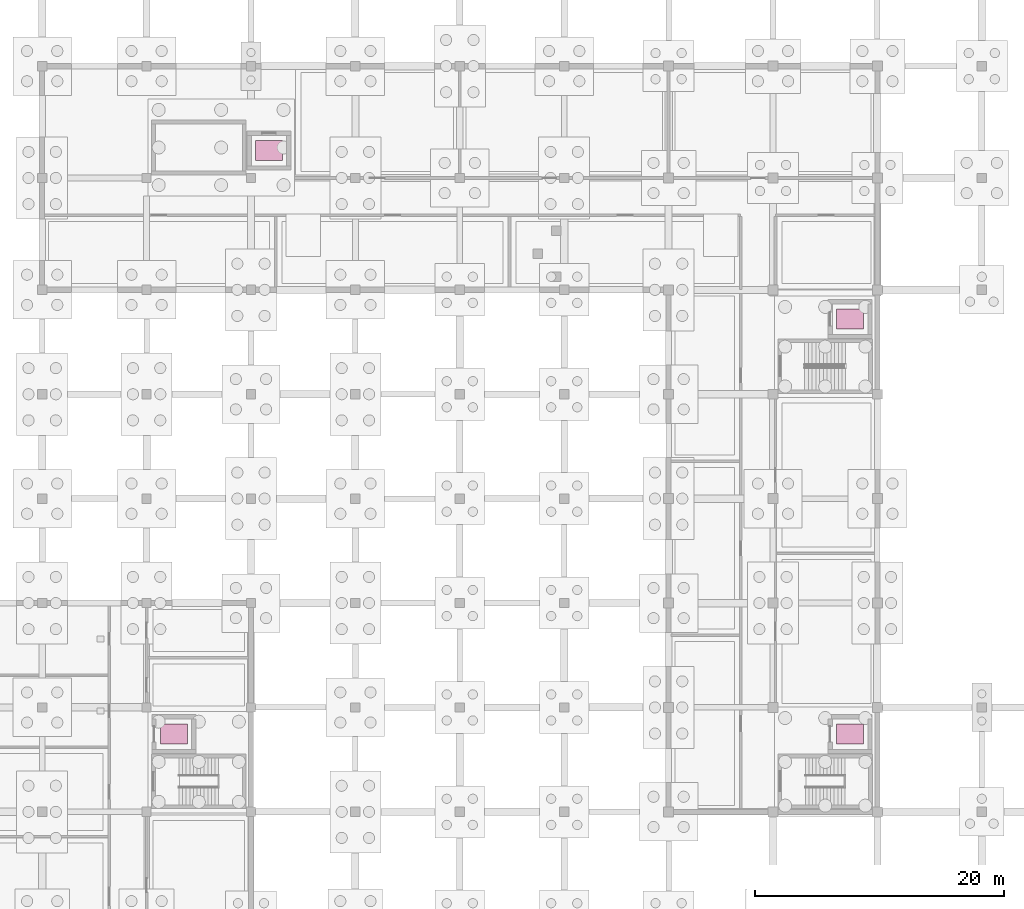
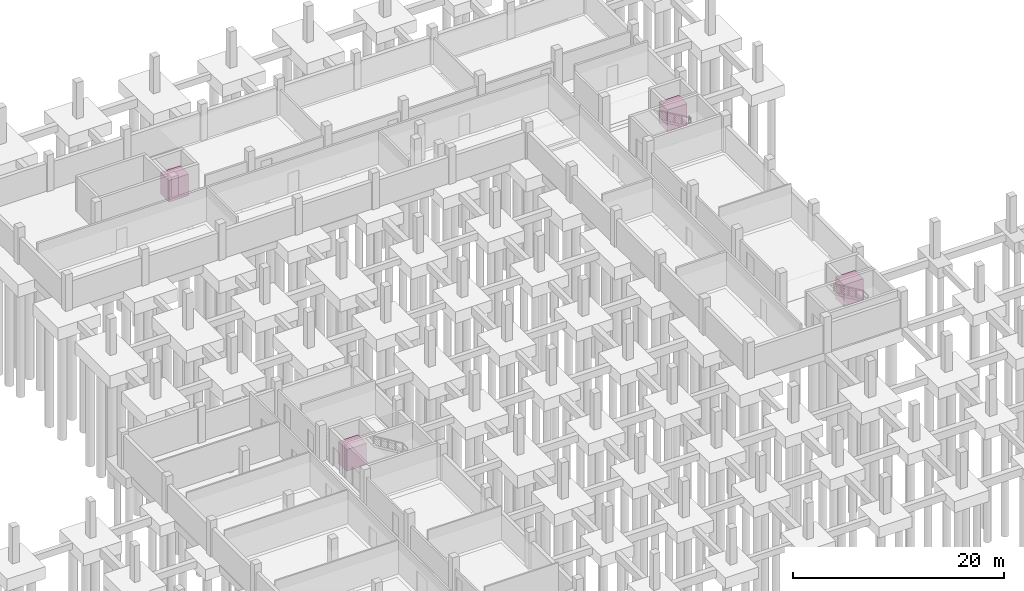
# One storey, part 20 of 20: 4 transport elements.
"""IFC4 building model written with IfcOpenShell, lengths in metres."""

from ifc_helpers import new_model, si_unit, direction, frame, origin, origin_2d, place, context, subcontext, project, spatial, rectangle, extrude, material, type_object, element, save


model = new_model("IFC4")

# Units and contexts
model_context = context("Model", 3, precision=1e-05, world=origin(), true_north=direction((0.0, 1.0)))
body_context = subcontext(model_context, "Body", "Model", "MODEL_VIEW")
ifc_project = project(units=[si_unit("LENGTHUNIT", "METRE"), si_unit("AREAUNIT", "SQUARE_METRE"), si_unit("VOLUMEUNIT", "CUBIC_METRE"), si_unit("PLANEANGLEUNIT", "RADIAN"), si_unit("MASSUNIT", "GRAM", prefix="KILO")], contexts=[model_context])

# Site, building, storey
site_placement = place(None, origin())
site = spatial("IfcSite", under=ifc_project, at=site_placement, CompositionType="ELEMENT")
building_placement = place(site_placement, origin())
building = spatial("IfcBuilding", under=site, at=building_placement, Name="Vireocrest Preparatory School", CompositionType="ELEMENT")
storey_placement = place(building_placement, frame((0.0, 0.0, -4.199951171875)))
storey = spatial("IfcBuildingStorey", under=building, at=storey_placement, Name="B01", CompositionType="ELEMENT", Elevation=-4.199951171875)

# Transport elements
ifc_material = material(Name="Brushed stainless steel AISI 316", Category="steel")
transport_element_type = type_object("IfcTransportElementType", Name="Stretcher Passenger Traction Elevator 1800 kg", PredefinedType="ELEVATOR", material=ifc_material)
for number, where, z_axis, x_axis, name in (
    (1, (52.60009765625, 50.050048828125, 0.0), (0.0, 0.0, 1.0), (1.0, 0.0, 0.0), "LF1"),
    (2, (107.0, 50.050048828125, 0.0), (0.0, 0.0, 1.0), (1.0, 0.0, 0.0), "LF2"),
    (3, (60.25, 97.0, 0.0), (0.0, 0.0, 1.0), (1.0, 0.0, 0.0), "LF3"),
    (4, (107.0, 83.449951171875, 0.0), (0.0, 0.0, 1.0), (1.0, 0.0, 0.0), "LF4"),
):
    element("IfcTransportElement", number, at=place(storey_placement, frame(where, z_axis=z_axis, x_axis=x_axis)), inside=storey, type_object=transport_element_type, Name=name, PredefinedType="ELEVATOR", context=body_context, shape_type="SweptSolid", body=[
        extrude(rectangle(XDim=2.14990234375, YDim=1.60009765625, at=origin_2d()), origin(), (0.0, 0.0, 1.0), 2.5),
    ])

save(model, "model.ifc")
